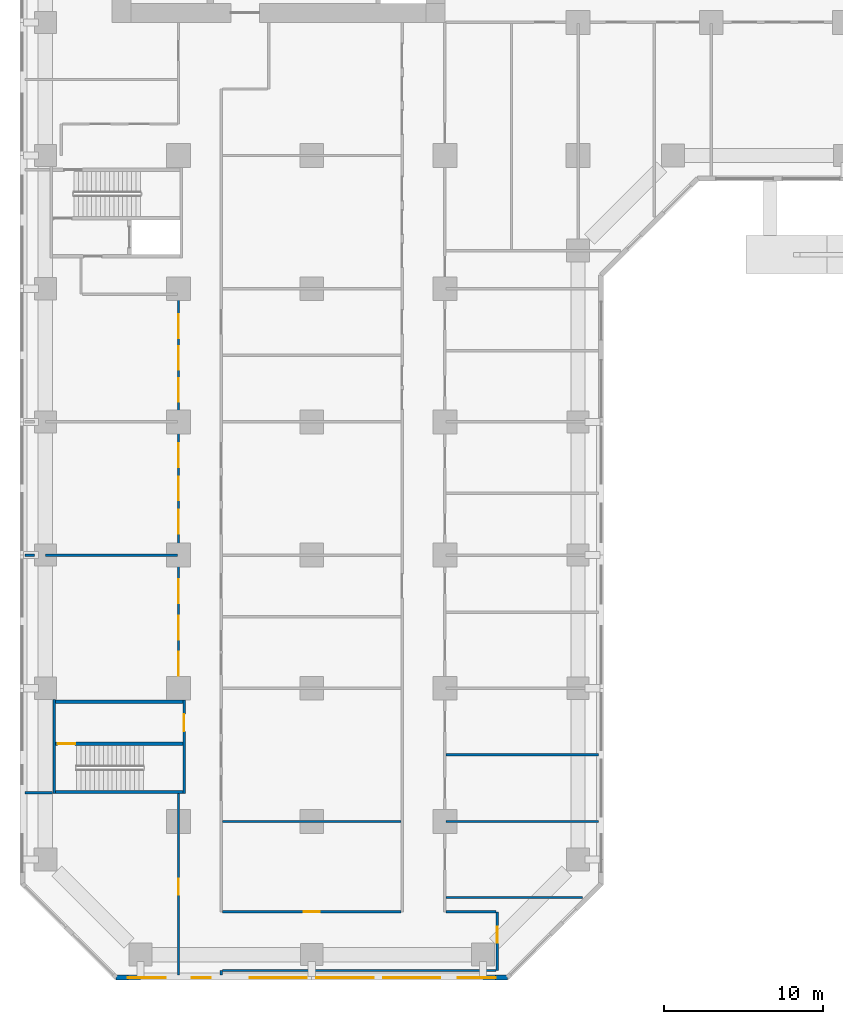
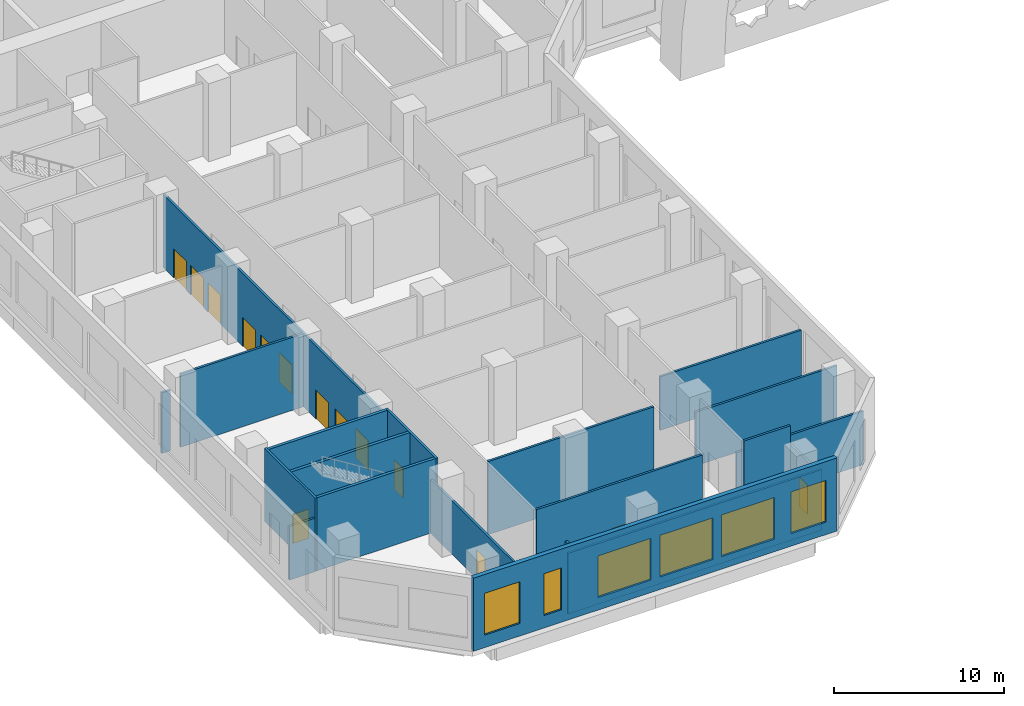
# One storey, part 3 of 19: 20 walls, 14 doors, 6 windows, 20 openings.
"""IFC4 building model written with IfcOpenShell, lengths in metres."""

from ifc_helpers import new_model, si_unit, direction, frame, frame_2d, origin, place, context, subcontext, project, spatial, rectangle, extrude, material, layer, layer_set, type_object, element, fill, save


model = new_model("IFC4")

# Units and contexts
model_context = context("Model", 3, precision=1e-05, world=origin(), true_north=direction((0.0, 1.0)))
body_context = subcontext(model_context, "Body", "Model", "MODEL_VIEW")
ifc_project = project(units=[si_unit("LENGTHUNIT", "METRE"), si_unit("AREAUNIT", "SQUARE_METRE"), si_unit("VOLUMEUNIT", "CUBIC_METRE"), si_unit("PLANEANGLEUNIT", "RADIAN"), si_unit("MASSUNIT", "GRAM", prefix="KILO")], contexts=[model_context])

# Site, building, storey
site_placement = place(None, origin())
site = spatial("IfcSite", under=ifc_project, at=site_placement, CompositionType="ELEMENT")
building_placement = place(site_placement, origin())
building = spatial("IfcBuilding", under=site, at=building_placement, Name="Kawkab Arch Medical Tower", CompositionType="ELEMENT")
storey_placement = place(building_placement, frame((0.0, 0.0, 12.60009765625)))
storey = spatial("IfcBuildingStorey", under=building, at=storey_placement, Name="L03", CompositionType="ELEMENT", Elevation=12.60009765625)

# Wall
ifc_material_1 = material(Name="Gypsum board partition on steel studs, mineral wool", Category="steel")
ifc_layer_1 = layer(ifc_material_1, 0.14990234375)
ifc_layer_set_1 = layer_set([ifc_layer_1], Name="Gypsum board partition on steel studs, mineral wool")
wall_type_1 = type_object("IfcWallType", Name="Partition 150", PredefinedType="PARTITIONING", material=ifc_layer_set_1)
wall_1_placement = place(storey_placement, frame((11.175048828125, -85.0, 0.0), z_axis=(0.0, 0.0, 1.0), x_axis=(1.0, 0.0, 0.0)))
element("IfcWall", 1, at=wall_1_placement, inside=storey, type_object=wall_type_1, Name="Partition 150 w001", PredefinedType="PARTITIONING", context=body_context, shape_type="SweptSolid", body=[
    extrude(rectangle(XDim=17.248046875, YDim=0.14990234375, at=frame_2d((8.6240234375, 0.0))), origin(), (0.0, 0.0, 1.0), 4.349853515625),
])

# Wall, opening, door
wall_2_placement = place(storey_placement, frame((11.175048828125, -81.300048828125, 0.0), z_axis=(0.0, 0.0, 1.0), x_axis=(1.0, 0.0, 0.0)))
wall_2 = element("IfcWall", 2, at=wall_2_placement, inside=storey, type_object=wall_type_1, Name="Partition 150 w002", PredefinedType="PARTITIONING", context=body_context, shape_type="SweptSolid", body=[
    extrude(rectangle(XDim=11.25, YDim=0.14990234375, at=frame_2d((5.625, 0.0))), origin(), (0.0, 0.0, 1.0), 5.25),
])
opening_1_placement = place(wall_2_placement, frame((5.125, 0.0, 0.0)))
opening_1 = element("IfcOpeningElement", 3, at=opening_1_placement, cuts=wall_2, Name="Opening P03-054", PredefinedType="OPENING", context=body_context, shape_type="SweptSolid", body=[
    extrude(rectangle(XDim=1.0, YDim=2.10009765625, at=frame_2d((0.5, 1.050048828125))), frame((0.0, 0.0849609375, 0.0), z_axis=(0.0, -1.0, 0.0), x_axis=(1.0, 0.0, 0.0)), (0.0, 0.0, 1.0), 0.169921875),
])
ifc_material_2 = material(Name="Hollow metal door leaf")
door_type_1 = type_object("IfcDoorType", Name="Single door 1000x2100 FD30S", OperationType="NOTDEFINED", PredefinedType="DOOR", material=ifc_material_2)
door_1_placement = place(opening_1_placement, origin())
door_1 = element("IfcDoor", 4, at=door_1_placement, inside=storey, type_object=door_type_1, Name="Door P03-054", OperationType="SINGLE_SWING_LEFT", OverallHeight=2.10009765625, OverallWidth=1.0, PredefinedType="DOOR", context=body_context, shape_type="SweptSolid", body=[
    extrude(rectangle(XDim=1.0, YDim=2.10009765625, at=frame_2d((0.5, 1.050048828125))), frame((0.0, 0.02490234375, 0.0), z_axis=(0.0, -1.0, 0.0), x_axis=(1.0, 0.0, 0.0)), (0.0, 0.0, 1.0), 0.050048828125),
])
fill(opening_1, door_1)

# Walls
wall_3_placement = place(storey_placement, frame((25.27490234375, -81.300048828125, 0.0), z_axis=(0.0, 0.0, 1.0), x_axis=(1.0, 0.0, 0.0)))
element("IfcWall", 5, at=wall_3_placement, inside=storey, type_object=wall_type_1, Name="Partition 150 w003", PredefinedType="PARTITIONING", context=body_context, shape_type="SweptSolid", body=[
    extrude(rectangle(XDim=3.148193359375, YDim=0.14990234375, at=frame_2d((1.57421875, 0.0))), origin(), (0.0, 0.0, 1.0), 5.25),
])
wall_4_placement = place(storey_placement, frame((25.27490234375, -80.39990234375, 0.0), z_axis=(0.0, 0.0, 1.0), x_axis=(1.0, 0.0, 0.0)))
element("IfcWall", 6, at=wall_4_placement, inside=storey, type_object=wall_type_1, Name="Partition 150 w004", PredefinedType="PARTITIONING", context=body_context, shape_type="SweptSolid", body=[
    extrude(rectangle(XDim=8.612060546875, YDim=0.14990234375, at=frame_2d((4.30615234375, 0.0))), origin(), (0.0, 0.0, 1.0), 3.849853515625),
])
wall_5_placement = place(storey_placement, frame((11.175048828125, -75.60009765625, 0.0), z_axis=(0.0, 0.0, 1.0), x_axis=(1.0, 0.0, 0.0)))
element("IfcWall", 7, at=wall_5_placement, inside=storey, type_object=wall_type_1, Name="Partition 150 w005", PredefinedType="PARTITIONING", context=body_context, shape_type="SweptSolid", body=[
    extrude(rectangle(XDim=11.25, YDim=0.14990234375, at=frame_2d((5.625, 0.0))), origin(), (0.0, 0.0, 1.0), 5.25),
])
wall_6_placement = place(storey_placement, frame((25.27490234375, -75.60009765625, 0.0), z_axis=(0.0, 0.0, 1.0), x_axis=(1.0, 0.0, 0.0)))
element("IfcWall", 8, at=wall_6_placement, inside=storey, type_object=wall_type_1, Name="Partition 150 w006", PredefinedType="PARTITIONING", context=body_context, shape_type="SweptSolid", body=[
    extrude(rectangle(XDim=9.60498046875, YDim=0.14990234375, at=frame_2d((4.802490234375, 0.0))), origin(), (0.0, 0.0, 1.0), 3.849853515625),
])
wall_7_placement = place(storey_placement, frame((-1.280029296875, -73.800048828125, 0.0), z_axis=(0.0, 0.0, 1.0), x_axis=(1.0, 0.0, 0.0)))
element("IfcWall", 9, at=wall_7_placement, inside=storey, type_object=wall_type_1, Name="Partition 150 w007", PredefinedType="PARTITIONING", context=body_context, shape_type="SweptSolid", body=[
    extrude(rectangle(XDim=1.72509765625, YDim=0.14990234375, at=frame_2d((0.862548828125, 0.0))), origin(), (0.0, 0.0, 1.0), 3.849853515625),
])
wall_8_placement = place(storey_placement, frame((25.27490234375, -71.39990234375, 0.0), z_axis=(0.0, 0.0, 1.0), x_axis=(1.0, 0.0, 0.0)))
element("IfcWall", 10, at=wall_8_placement, inside=storey, type_object=wall_type_1, Name="Partition 150 w008", PredefinedType="PARTITIONING", context=body_context, shape_type="SweptSolid", body=[
    extrude(rectangle(XDim=9.60498046875, YDim=0.14990234375, at=frame_2d((4.802490234375, 0.0))), origin(), (0.0, 0.0, 1.0), 3.849853515625),
])
wall_9_placement = place(storey_placement, frame((-1.280029296875, -58.800048828125, 0.0), z_axis=(0.0, 0.0, 1.0), x_axis=(1.0, 0.0, 0.0)))
element("IfcWall", 11, at=wall_9_placement, inside=storey, type_object=wall_type_1, Name="Partition 150 w013", PredefinedType="PARTITIONING", context=body_context, shape_type="SweptSolid", body=[
    extrude(rectangle(XDim=0.580078125, YDim=0.14990234375, at=frame_2d((0.2900390625, 0.0))), origin(), (0.0, 0.0, 1.0), 4.349853515625),
])
wall_10_placement = place(storey_placement, frame((0.001953125, -58.800048828125, 0.0), z_axis=(0.0, 0.0, 1.0), x_axis=(1.0, 0.0, 0.0)))
element("IfcWall", 12, at=wall_10_placement, inside=storey, type_object=wall_type_1, Name="Partition 150 w014", PredefinedType="PARTITIONING", context=body_context, shape_type="SweptSolid", body=[
    extrude(rectangle(XDim=8.322998046875, YDim=0.14990234375, at=frame_2d((4.16162109375, 0.0))), origin(), (0.0, 0.0, 1.0), 5.25),
])

# Wall, opening, door
wall_11_placement = place(storey_placement, frame((8.39990234375, -85.280029296875, 0.0), z_axis=(0.0, 0.0, 1.0), x_axis=(0.0, 1.0, 0.0)))
wall_11 = element("IfcWall", 13, at=wall_11_placement, inside=storey, type_object=wall_type_1, Name="Partition 150 w049", PredefinedType="PARTITIONING", context=body_context, shape_type="SweptSolid", body=[
    extrude(rectangle(XDim=11.429931640625, YDim=0.14990234375, at=frame_2d((5.71484375, 0.0))), origin(), (0.0, 0.0, 1.0), 3.849853515625),
])
opening_2_placement = place(wall_11_placement, frame((5.054931640625, 0.0, 0.0)))
opening_2 = element("IfcOpeningElement", 14, at=opening_2_placement, cuts=wall_11, Name="Opening P03-053", PredefinedType="OPENING", context=body_context, shape_type="SweptSolid", body=[
    extrude(rectangle(XDim=1.0, YDim=2.10009765625, at=frame_2d((0.5, 1.050048828125))), frame((0.0, 0.0849609375, 0.0), z_axis=(0.0, -1.0, 0.0), x_axis=(1.0, 0.0, 0.0)), (0.0, 0.0, 1.0), 0.169921875),
])
door_2_placement = place(opening_2_placement, origin())
door_2 = element("IfcDoor", 15, at=door_2_placement, inside=storey, type_object=door_type_1, Name="Door P03-053", OperationType="SINGLE_SWING_RIGHT", OverallHeight=2.10009765625, OverallWidth=1.0, PredefinedType="DOOR", context=body_context, shape_type="SweptSolid", body=[
    extrude(rectangle(XDim=1.0, YDim=2.10009765625, at=frame_2d((0.5, 1.050048828125))), frame((0.0, 0.02490234375, 0.0), z_axis=(0.0, -1.0, 0.0), x_axis=(1.0, 0.0, 0.0)), (0.0, 0.0, 1.0), 0.050048828125),
])
fill(opening_2, door_2)

# Wall, openings, doors
wall_12_placement = place(storey_placement, frame((8.39990234375, -67.947021484375, 0.0), z_axis=(0.0, 0.0, 1.0), x_axis=(0.0, 1.0, 0.0)))
wall_12 = element("IfcWall", 16, at=wall_12_placement, inside=storey, type_object=wall_type_1, Name="Partition 150 w050", PredefinedType="PARTITIONING", context=body_context, shape_type="SweptSolid", body=[
    extrude(rectangle(XDim=25.596923828125, YDim=0.14990234375, at=frame_2d((12.79833984375, 0.0))), origin(), (0.0, 0.0, 1.0), 5.25),
])
opening_3_placement = place(wall_12_placement, frame((18.80908203125, 0.0, 0.0)))
opening_3 = element("IfcOpeningElement", 17, at=opening_3_placement, cuts=wall_12, Name="Opening P03-023", PredefinedType="OPENING", context=body_context, shape_type="SweptSolid", body=[
    extrude(rectangle(XDim=1.5, YDim=2.10009765625, at=frame_2d((0.75, 1.050048828125))), frame((0.0, 0.0849609375, 0.0), z_axis=(0.0, -1.0, 0.0), x_axis=(1.0, 0.0, 0.0)), (0.0, 0.0, 1.0), 0.169921875),
])
opening_4_placement = place(wall_12_placement, frame((20.822021484375, 0.0, 0.0)))
opening_4 = element("IfcOpeningElement", 18, at=opening_4_placement, cuts=wall_12, Name="Opening P03-024", PredefinedType="OPENING", context=body_context, shape_type="SweptSolid", body=[
    extrude(rectangle(XDim=1.5, YDim=2.10009765625, at=frame_2d((0.75, 1.050048828125))), frame((0.0, 0.0849609375, 0.0), z_axis=(0.0, -1.0, 0.0), x_axis=(1.0, 0.0, 0.0)), (0.0, 0.0, 1.0), 0.169921875),
])
opening_5_placement = place(wall_12_placement, frame((22.8349609375, 0.0, 0.0)))
opening_5 = element("IfcOpeningElement", 19, at=opening_5_placement, cuts=wall_12, Name="Opening P03-025", PredefinedType="OPENING", context=body_context, shape_type="SweptSolid", body=[
    extrude(rectangle(XDim=1.5, YDim=2.10009765625, at=frame_2d((0.75, 1.050048828125))), frame((0.0, 0.0849609375, 0.0), z_axis=(0.0, -1.0, 0.0), x_axis=(1.0, 0.0, 0.0)), (0.0, 0.0, 1.0), 0.169921875),
])
opening_6_placement = place(wall_12_placement, frame((10.4970703125, 0.0, 0.0)))
opening_6 = element("IfcOpeningElement", 20, at=opening_6_placement, cuts=wall_12, Name="Opening P03-026", PredefinedType="OPENING", context=body_context, shape_type="SweptSolid", body=[
    extrude(rectangle(XDim=1.5, YDim=2.10009765625, at=frame_2d((0.75, 1.050048828125))), frame((0.0, 0.0849609375, 0.0), z_axis=(0.0, -1.0, 0.0), x_axis=(1.0, 0.0, 0.0)), (0.0, 0.0, 1.0), 0.169921875),
])
opening_7_placement = place(wall_12_placement, frame((12.596923828125, 0.0, 0.0)))
opening_7 = element("IfcOpeningElement", 21, at=opening_7_placement, cuts=wall_12, Name="Opening P03-027", PredefinedType="OPENING", context=body_context, shape_type="SweptSolid", body=[
    extrude(rectangle(XDim=1.5, YDim=2.10009765625, at=frame_2d((0.75, 1.050048828125))), frame((0.0, 0.0849609375, 0.0), z_axis=(0.0, -1.0, 0.0), x_axis=(1.0, 0.0, 0.0)), (0.0, 0.0, 1.0), 0.169921875),
])
opening_8_placement = place(wall_12_placement, frame((14.697021484375, 0.0, 0.0)))
opening_8 = element("IfcOpeningElement", 22, at=opening_8_placement, cuts=wall_12, Name="Opening P03-028", PredefinedType="OPENING", context=body_context, shape_type="SweptSolid", body=[
    extrude(rectangle(XDim=1.5, YDim=2.10009765625, at=frame_2d((0.75, 1.050048828125))), frame((0.0, 0.0849609375, 0.0), z_axis=(0.0, -1.0, 0.0), x_axis=(1.0, 0.0, 0.0)), (0.0, 0.0, 1.0), 0.169921875),
])
opening_9_placement = place(wall_12_placement, frame((1.537109375, 0.0, 0.0)))
opening_9 = element("IfcOpeningElement", 23, at=opening_9_placement, cuts=wall_12, Name="Opening P03-029", PredefinedType="OPENING", context=body_context, shape_type="SweptSolid", body=[
    extrude(rectangle(XDim=1.5, YDim=2.10009765625, at=frame_2d((0.75, 1.050048828125))), frame((0.0, 0.0849609375, 0.0), z_axis=(0.0, -1.0, 0.0), x_axis=(1.0, 0.0, 0.0)), (0.0, 0.0, 1.0), 0.169921875),
])
opening_10_placement = place(wall_12_placement, frame((3.822998046875, 0.0, 0.0)))
opening_10 = element("IfcOpeningElement", 24, at=opening_10_placement, cuts=wall_12, Name="Opening P03-030", PredefinedType="OPENING", context=body_context, shape_type="SweptSolid", body=[
    extrude(rectangle(XDim=1.5, YDim=2.10009765625, at=frame_2d((0.75, 1.050048828125))), frame((0.0, 0.0849609375, 0.0), z_axis=(0.0, -1.0, 0.0), x_axis=(1.0, 0.0, 0.0)), (0.0, 0.0, 1.0), 0.169921875),
])
opening_11_placement = place(wall_12_placement, frame((6.110107421875, 0.0, 0.0)))
opening_11 = element("IfcOpeningElement", 25, at=opening_11_placement, cuts=wall_12, Name="Opening P03-031", PredefinedType="OPENING", context=body_context, shape_type="SweptSolid", body=[
    extrude(rectangle(XDim=1.5, YDim=2.10009765625, at=frame_2d((0.75, 1.050048828125))), frame((0.0, 0.0849609375, 0.0), z_axis=(0.0, -1.0, 0.0), x_axis=(1.0, 0.0, 0.0)), (0.0, 0.0, 1.0), 0.169921875),
])
ifc_material_3 = material(Name="Hollow metal door leaf")
door_type_2 = type_object("IfcDoorType", Name="Double door 1500x2100 FD30S", OperationType="NOTDEFINED", PredefinedType="DOOR", material=ifc_material_3)
door_3_placement = place(opening_3_placement, origin())
door_3 = element("IfcDoor", 26, at=door_3_placement, inside=storey, type_object=door_type_2, Name="Door P03-023", OperationType="DOUBLE_DOOR_SINGLE_SWING", OverallHeight=2.10009765625, OverallWidth=1.5, PredefinedType="DOOR", context=body_context, shape_type="SweptSolid", body=[
    extrude(rectangle(XDim=1.5, YDim=2.10009765625, at=frame_2d((0.75, 1.050048828125))), frame((0.0, 0.02490234375, 0.0), z_axis=(0.0, -1.0, 0.0), x_axis=(1.0, 0.0, 0.0)), (0.0, 0.0, 1.0), 0.050048828125),
])
fill(opening_3, door_3)
door_4_placement = place(opening_4_placement, origin())
door_4 = element("IfcDoor", 27, at=door_4_placement, inside=storey, type_object=door_type_2, Name="Door P03-024", OperationType="DOUBLE_DOOR_SINGLE_SWING", OverallHeight=2.10009765625, OverallWidth=1.5, PredefinedType="DOOR", context=body_context, shape_type="SweptSolid", body=[
    extrude(rectangle(XDim=1.5, YDim=2.10009765625, at=frame_2d((0.75, 1.050048828125))), frame((0.0, 0.02490234375, 0.0), z_axis=(0.0, -1.0, 0.0), x_axis=(1.0, 0.0, 0.0)), (0.0, 0.0, 1.0), 0.050048828125),
])
fill(opening_4, door_4)
door_5_placement = place(opening_5_placement, origin())
door_5 = element("IfcDoor", 28, at=door_5_placement, inside=storey, type_object=door_type_2, Name="Door P03-025", OperationType="DOUBLE_DOOR_SINGLE_SWING", OverallHeight=2.10009765625, OverallWidth=1.5, PredefinedType="DOOR", context=body_context, shape_type="SweptSolid", body=[
    extrude(rectangle(XDim=1.5, YDim=2.10009765625, at=frame_2d((0.75, 1.050048828125))), frame((0.0, 0.02490234375, 0.0), z_axis=(0.0, -1.0, 0.0), x_axis=(1.0, 0.0, 0.0)), (0.0, 0.0, 1.0), 0.050048828125),
])
fill(opening_5, door_5)
door_6_placement = place(opening_6_placement, origin())
door_6 = element("IfcDoor", 29, at=door_6_placement, inside=storey, type_object=door_type_2, Name="Door P03-026", OperationType="DOUBLE_DOOR_SINGLE_SWING", OverallHeight=2.10009765625, OverallWidth=1.5, PredefinedType="DOOR", context=body_context, shape_type="SweptSolid", body=[
    extrude(rectangle(XDim=1.5, YDim=2.10009765625, at=frame_2d((0.75, 1.050048828125))), frame((0.0, 0.02490234375, 0.0), z_axis=(0.0, -1.0, 0.0), x_axis=(1.0, 0.0, 0.0)), (0.0, 0.0, 1.0), 0.050048828125),
])
fill(opening_6, door_6)
door_7_placement = place(opening_7_placement, origin())
door_7 = element("IfcDoor", 30, at=door_7_placement, inside=storey, type_object=door_type_2, Name="Door P03-027", OperationType="DOUBLE_DOOR_SINGLE_SWING", OverallHeight=2.10009765625, OverallWidth=1.5, PredefinedType="DOOR", context=body_context, shape_type="SweptSolid", body=[
    extrude(rectangle(XDim=1.5, YDim=2.10009765625, at=frame_2d((0.75, 1.050048828125))), frame((0.0, 0.02490234375, 0.0), z_axis=(0.0, -1.0, 0.0), x_axis=(1.0, 0.0, 0.0)), (0.0, 0.0, 1.0), 0.050048828125),
])
fill(opening_7, door_7)
door_8_placement = place(opening_8_placement, origin())
door_8 = element("IfcDoor", 31, at=door_8_placement, inside=storey, type_object=door_type_2, Name="Door P03-028", OperationType="DOUBLE_DOOR_SINGLE_SWING", OverallHeight=2.10009765625, OverallWidth=1.5, PredefinedType="DOOR", context=body_context, shape_type="SweptSolid", body=[
    extrude(rectangle(XDim=1.5, YDim=2.10009765625, at=frame_2d((0.75, 1.050048828125))), frame((0.0, 0.02490234375, 0.0), z_axis=(0.0, -1.0, 0.0), x_axis=(1.0, 0.0, 0.0)), (0.0, 0.0, 1.0), 0.050048828125),
])
fill(opening_8, door_8)
door_9_placement = place(opening_9_placement, origin())
door_9 = element("IfcDoor", 32, at=door_9_placement, inside=storey, type_object=door_type_2, Name="Door P03-029", OperationType="DOUBLE_DOOR_SINGLE_SWING", OverallHeight=2.10009765625, OverallWidth=1.5, PredefinedType="DOOR", context=body_context, shape_type="SweptSolid", body=[
    extrude(rectangle(XDim=1.5, YDim=2.10009765625, at=frame_2d((0.75, 1.050048828125))), frame((0.0, 0.02490234375, 0.0), z_axis=(0.0, -1.0, 0.0), x_axis=(1.0, 0.0, 0.0)), (0.0, 0.0, 1.0), 0.050048828125),
])
fill(opening_9, door_9)
door_10_placement = place(opening_10_placement, origin())
door_10 = element("IfcDoor", 33, at=door_10_placement, inside=storey, type_object=door_type_2, Name="Door P03-030", OperationType="DOUBLE_DOOR_SINGLE_SWING", OverallHeight=2.10009765625, OverallWidth=1.5, PredefinedType="DOOR", context=body_context, shape_type="SweptSolid", body=[
    extrude(rectangle(XDim=1.5, YDim=2.10009765625, at=frame_2d((0.75, 1.050048828125))), frame((0.0, 0.02490234375, 0.0), z_axis=(0.0, -1.0, 0.0), x_axis=(1.0, 0.0, 0.0)), (0.0, 0.0, 1.0), 0.050048828125),
])
fill(opening_10, door_10)
door_11_placement = place(opening_11_placement, origin())
door_11 = element("IfcDoor", 34, at=door_11_placement, inside=storey, type_object=door_type_2, Name="Door P03-031", OperationType="DOUBLE_DOOR_SINGLE_SWING", OverallHeight=2.10009765625, OverallWidth=1.5, PredefinedType="DOOR", context=body_context, shape_type="SweptSolid", body=[
    extrude(rectangle(XDim=1.5, YDim=2.10009765625, at=frame_2d((0.75, 1.050048828125))), frame((0.0, 0.02490234375, 0.0), z_axis=(0.0, -1.0, 0.0), x_axis=(1.0, 0.0, 0.0)), (0.0, 0.0, 1.0), 0.050048828125),
])
fill(opening_11, door_11)

# Wall
wall_13_placement = place(storey_placement, frame((11.10009765625, -85.280029296875, 0.0), z_axis=(0.0, 0.0, 1.0), x_axis=(0.0, 1.0, 0.0)))
element("IfcWall", 35, at=wall_13_placement, inside=storey, type_object=wall_type_1, Name="Partition 150 w052", PredefinedType="PARTITIONING", context=body_context, shape_type="SweptSolid", body=[
    extrude(rectangle(XDim=0.280029296875, YDim=0.14990234375, at=frame_2d((0.14013671875, 0.0))), origin(), (0.0, 0.0, 1.0), 5.25),
])

# Wall, opening, door
wall_14_placement = place(storey_placement, frame((28.5, -84.998046875, 0.0), z_axis=(0.0, 0.0, 1.0), x_axis=(0.0, 1.0, 0.0)))
wall_14 = element("IfcWall", 36, at=wall_14_placement, inside=storey, type_object=wall_type_1, Name="Partition 150 w058", PredefinedType="PARTITIONING", context=body_context, shape_type="SweptSolid", body=[
    extrude(rectangle(XDim=3.697021484375, YDim=0.14990234375, at=frame_2d((1.8486328125, 0.0))), origin(), (0.0, 0.0, 1.0), 3.849853515625),
])
opening_12_placement = place(wall_14_placement, frame((1.7490234375, 0.0, 0.0)))
opening_12 = element("IfcOpeningElement", 37, at=opening_12_placement, cuts=wall_14, Name="Opening P03-055", PredefinedType="OPENING", context=body_context, shape_type="SweptSolid", body=[
    extrude(rectangle(XDim=1.0, YDim=2.10009765625, at=frame_2d((0.5, 1.050048828125))), frame((0.0, 0.0849609375, 0.0), z_axis=(0.0, -1.0, 0.0), x_axis=(1.0, 0.0, 0.0)), (0.0, 0.0, 1.0), 0.169921875),
])
door_12_placement = place(opening_12_placement, origin())
door_12 = element("IfcDoor", 38, at=door_12_placement, inside=storey, type_object=door_type_1, Name="Door P03-055", OperationType="SINGLE_SWING_LEFT", OverallHeight=2.10009765625, OverallWidth=1.0, PredefinedType="DOOR", context=body_context, shape_type="SweptSolid", body=[
    extrude(rectangle(XDim=1.0, YDim=2.10009765625, at=frame_2d((0.5, 1.050048828125))), frame((0.0, 0.02490234375, 0.0), z_axis=(0.0, -1.0, 0.0), x_axis=(1.0, 0.0, 0.0)), (0.0, 0.0, 1.0), 0.050048828125),
])
fill(opening_12, door_12)

# Wall, openings, windows
ifc_material_4 = material(Name="Bronze clad insulated wall panel")
ifc_layer_2 = layer(ifc_material_4, 0.300048828125)
ifc_layer_set_2 = layer_set([ifc_layer_2], Name="Bronze clad insulated wall panel")
wall_type_2 = type_object("IfcWallType", Name="Podium external wall 300", PredefinedType="SOLIDWALL", material=ifc_layer_set_2)
wall_15_placement = place(storey_placement, frame((4.462158203125, -85.449951171875, 0.0), z_axis=(0.0, 0.0, 1.0), x_axis=(1.0, 0.0, 0.0)))
wall_15 = element("IfcWall", 39, at=wall_15_placement, inside=storey, type_object=wall_type_2, Name="Podium external wall L03 R09", PredefinedType="SOLIDWALL", context=body_context, shape_type="SweptSolid", body=[
    extrude(rectangle(XDim=24.67578125, YDim=0.300048828125, at=frame_2d((12.337890625, 0.0))), origin(), (0.0, 0.0, 1.0), 5.25),
])
opening_13_placement = place(wall_15_placement, frame((0.73779296875, 0.0, 0.89990234375)))
opening_13 = element("IfcOpeningElement", 40, at=opening_13_placement, cuts=wall_15, Name="Opening PBW240-30-S9", PredefinedType="OPENING", context=body_context, shape_type="SweptSolid", body=[
    extrude(rectangle(XDim=2.39990234375, YDim=3.0, at=frame_2d((1.199951171875, 1.5))), frame((0.0, 0.159912109375, 0.0), z_axis=(0.0, -1.0, 0.0), x_axis=(1.0, 0.0, 0.0)), (0.0, 0.0, 1.0), 0.320068359375),
])
opening_14_placement = place(wall_15_placement, frame((4.762939453125, 0.0, 0.89990234375)))
opening_14 = element("IfcOpeningElement", 41, at=opening_14_placement, cuts=wall_15, Name="Opening PBW120-30-S9", PredefinedType="OPENING", context=body_context, shape_type="SweptSolid", body=[
    extrude(rectangle(XDim=1.199951171875, YDim=3.0, at=frame_2d((0.60009765625, 1.5))), frame((0.0, 0.159912109375, 0.0), z_axis=(0.0, -1.0, 0.0), x_axis=(1.0, 0.0, 0.0)), (0.0, 0.0, 1.0), 0.320068359375),
])
opening_15_placement = place(wall_15_placement, frame((8.43798828125, 0.0, 0.89990234375)))
opening_15 = element("IfcOpeningElement", 42, at=opening_15_placement, cuts=wall_15, Name="Opening PBW360-30-S9", PredefinedType="OPENING", context=body_context, shape_type="SweptSolid", body=[
    extrude(rectangle(XDim=3.60009765625, YDim=3.0, at=frame_2d((1.800048828125, 1.5))), frame((0.0, 0.159912109375, 0.0), z_axis=(0.0, -1.0, 0.0), x_axis=(1.0, 0.0, 0.0)), (0.0, 0.0, 1.0), 0.320068359375),
])
opening_16_placement = place(wall_15_placement, frame((12.637939453125, 0.0, 0.89990234375)))
opening_16 = element("IfcOpeningElement", 43, at=opening_16_placement, cuts=wall_15, Name="Opening PBW360-30-S9", PredefinedType="OPENING", context=body_context, shape_type="SweptSolid", body=[
    extrude(rectangle(XDim=3.60009765625, YDim=3.0, at=frame_2d((1.800048828125, 1.5))), frame((0.0, 0.159912109375, 0.0), z_axis=(0.0, -1.0, 0.0), x_axis=(1.0, 0.0, 0.0)), (0.0, 0.0, 1.0), 0.320068359375),
])
opening_17_placement = place(wall_15_placement, frame((16.837890625, 0.0, 0.89990234375)))
opening_17 = element("IfcOpeningElement", 44, at=opening_17_placement, cuts=wall_15, Name="Opening PBW360-30-S9", PredefinedType="OPENING", context=body_context, shape_type="SweptSolid", body=[
    extrude(rectangle(XDim=3.60009765625, YDim=3.0, at=frame_2d((1.800048828125, 1.5))), frame((0.0, 0.159912109375, 0.0), z_axis=(0.0, -1.0, 0.0), x_axis=(1.0, 0.0, 0.0)), (0.0, 0.0, 1.0), 0.320068359375),
])
opening_18_placement = place(wall_15_placement, frame((21.537841796875, 0.0, 0.89990234375)))
opening_18 = element("IfcOpeningElement", 45, at=opening_18_placement, cuts=wall_15, Name="Opening PBW240-30-S9", PredefinedType="OPENING", context=body_context, shape_type="SweptSolid", body=[
    extrude(rectangle(XDim=2.39990234375, YDim=3.0, at=frame_2d((1.199951171875, 1.5))), frame((0.0, 0.159912109375, 0.0), z_axis=(0.0, -1.0, 0.0), x_axis=(1.0, 0.0, 0.0)), (0.0, 0.0, 1.0), 0.320068359375),
])
ifc_material_5 = material(Name="Bronze anodised aluminium louvred window", Category="aluminium")
window_type_1 = type_object("IfcWindowType", Name="Podium band window 1200 x 3000 sill 900", PartitioningType="DOUBLE_PANEL_VERTICAL", PredefinedType="WINDOW", material=ifc_material_5)
window_1_placement = place(opening_14_placement, origin())
window_1 = element("IfcWindow", 46, at=window_1_placement, inside=storey, type_object=window_type_1, Name="Band window L03 R09.2", OverallHeight=3.0, OverallWidth=1.199951171875, PartitioningType="SINGLE_PANEL", PredefinedType="WINDOW", context=body_context, shape_type="SweptSolid", body=[
    extrude(rectangle(XDim=1.199951171875, YDim=3.0, at=frame_2d((0.60009765625, 1.5))), frame((0.0, 0.030029296875, 0.0), z_axis=(0.0, -1.0, 0.0), x_axis=(1.0, 0.0, 0.0)), (0.0, 0.0, 1.0), 0.06005859375),
])
fill(opening_14, window_1)
ifc_material_6 = material(Name="Bronze anodised aluminium louvred window", Category="aluminium")
window_type_2 = type_object("IfcWindowType", Name="Podium band window 2400 x 3000 sill 900", PartitioningType="DOUBLE_PANEL_VERTICAL", PredefinedType="WINDOW", material=ifc_material_6)
window_2_placement = place(opening_13_placement, origin())
window_2 = element("IfcWindow", 47, at=window_2_placement, inside=storey, type_object=window_type_2, Name="Band window L03 R09.1", OverallHeight=3.0, OverallWidth=2.39990234375, PartitioningType="SINGLE_PANEL", PredefinedType="WINDOW", context=body_context, shape_type="SweptSolid", body=[
    extrude(rectangle(XDim=2.39990234375, YDim=3.0, at=frame_2d((1.199951171875, 1.5))), frame((0.0, 0.030029296875, 0.0), z_axis=(0.0, -1.0, 0.0), x_axis=(1.0, 0.0, 0.0)), (0.0, 0.0, 1.0), 0.06005859375),
])
fill(opening_13, window_2)
window_3_placement = place(opening_18_placement, origin())
window_3 = element("IfcWindow", 48, at=window_3_placement, inside=storey, type_object=window_type_2, Name="Band window L03 R09.6", OverallHeight=3.0, OverallWidth=2.39990234375, PartitioningType="SINGLE_PANEL", PredefinedType="WINDOW", context=body_context, shape_type="SweptSolid", body=[
    extrude(rectangle(XDim=2.39990234375, YDim=3.0, at=frame_2d((1.199951171875, 1.5))), frame((0.0, 0.030029296875, 0.0), z_axis=(0.0, -1.0, 0.0), x_axis=(1.0, 0.0, 0.0)), (0.0, 0.0, 1.0), 0.06005859375),
])
fill(opening_18, window_3)
ifc_material_7 = material(Name="Bronze anodised aluminium louvred window", Category="aluminium")
window_type_3 = type_object("IfcWindowType", Name="Podium band window 3600 x 3000 sill 900", PartitioningType="DOUBLE_PANEL_VERTICAL", PredefinedType="WINDOW", material=ifc_material_7)
window_4_placement = place(opening_15_placement, origin())
window_4 = element("IfcWindow", 49, at=window_4_placement, inside=storey, type_object=window_type_3, Name="Band window L03 R09.3", OverallHeight=3.0, OverallWidth=3.60009765625, PartitioningType="SINGLE_PANEL", PredefinedType="WINDOW", context=body_context, shape_type="SweptSolid", body=[
    extrude(rectangle(XDim=3.60009765625, YDim=3.0, at=frame_2d((1.800048828125, 1.5))), frame((0.0, 0.030029296875, 0.0), z_axis=(0.0, -1.0, 0.0), x_axis=(1.0, 0.0, 0.0)), (0.0, 0.0, 1.0), 0.06005859375),
])
fill(opening_15, window_4)
window_5_placement = place(opening_16_placement, origin())
window_5 = element("IfcWindow", 50, at=window_5_placement, inside=storey, type_object=window_type_3, Name="Band window L03 R09.4", OverallHeight=3.0, OverallWidth=3.60009765625, PartitioningType="SINGLE_PANEL", PredefinedType="WINDOW", context=body_context, shape_type="SweptSolid", body=[
    extrude(rectangle(XDim=3.60009765625, YDim=3.0, at=frame_2d((1.800048828125, 1.5))), frame((0.0, 0.030029296875, 0.0), z_axis=(0.0, -1.0, 0.0), x_axis=(1.0, 0.0, 0.0)), (0.0, 0.0, 1.0), 0.06005859375),
])
fill(opening_16, window_5)
window_6_placement = place(opening_17_placement, origin())
window_6 = element("IfcWindow", 51, at=window_6_placement, inside=storey, type_object=window_type_3, Name="Band window L03 R09.5", OverallHeight=3.0, OverallWidth=3.60009765625, PartitioningType="SINGLE_PANEL", PredefinedType="WINDOW", context=body_context, shape_type="SweptSolid", body=[
    extrude(rectangle(XDim=3.60009765625, YDim=3.0, at=frame_2d((1.800048828125, 1.5))), frame((0.0, 0.030029296875, 0.0), z_axis=(0.0, -1.0, 0.0), x_axis=(1.0, 0.0, 0.0)), (0.0, 0.0, 1.0), 0.06005859375),
])
fill(opening_17, window_6)

# Wall
ifc_material_8 = material(Name="Concrete C50/60", Category="concrete")
ifc_layer_3 = layer(ifc_material_8, 0.14990234375)
ifc_layer_set_3 = layer_set([ifc_layer_3], Name="Concrete C50/60")
wall_type_3 = type_object("IfcWallType", Name="Stair enclosure wall 150 C50/60", PredefinedType="SHEAR", material=ifc_layer_set_3)
wall_16_placement = place(storey_placement, frame((0.550048828125, -73.85009765625, 0.0), z_axis=(0.0, 0.0, 1.0), x_axis=(0.0, 1.0, 0.0)))
element("IfcWall", 52, at=wall_16_placement, inside=storey, type_object=wall_type_3, Name="L03 stair enclosure wall", PredefinedType="SHEAR", context=body_context, shape_type="SweptSolid", body=[
    extrude(rectangle(XDim=5.9501953125, YDim=0.14990234375, at=frame_2d((2.97509765625, 0.0))), origin(), (0.0, 0.0, 1.0), 5.25),
])

# Wall, opening, door
wall_17_placement = place(storey_placement, frame((8.75, -73.85009765625, 0.0), z_axis=(0.0, 0.0, 1.0), x_axis=(0.0, 1.0, 0.0)))
wall_17 = element("IfcWall", 53, at=wall_17_placement, inside=storey, type_object=wall_type_3, Name="L03 stair enclosure wall", PredefinedType="SHEAR", context=body_context, shape_type="SweptSolid", body=[
    extrude(rectangle(XDim=5.900146484375, YDim=0.14990234375, at=frame_2d((2.9501953125, 0.0))), origin(), (0.0, 0.0, 1.0), 5.25),
])
opening_19_placement = place(wall_17_placement, frame((3.925048828125, 0.0, 0.0)))
opening_19 = element("IfcOpeningElement", 54, at=opening_19_placement, cuts=wall_17, Name="Opening SD", PredefinedType="OPENING", context=body_context, shape_type="SweptSolid", body=[
    extrude(rectangle(XDim=1.10009765625, YDim=2.10009765625, at=frame_2d((0.550048828125, 1.050048828125))), frame((0.0, 0.0849609375, 0.0), z_axis=(0.0, -1.0, 0.0), x_axis=(1.0, 0.0, 0.0)), (0.0, 0.0, 1.0), 0.169921875),
])
ifc_material_9 = material(Name="Hollow metal fire door leaf")
door_type_3 = type_object("IfcDoorType", Name="Exit stair door 1100", OperationType="SINGLE_SWING_LEFT", PredefinedType="DOOR", material=ifc_material_9)
door_13_placement = place(opening_19_placement, origin())
door_13 = element("IfcDoor", 55, at=door_13_placement, inside=storey, type_object=door_type_3, Name="L03 Exit stair ST10 lobby door", OperationType="SINGLE_SWING_LEFT", OverallHeight=2.10009765625, OverallWidth=1.10009765625, PredefinedType="DOOR", context=body_context, shape_type="SweptSolid", body=[
    extrude(rectangle(XDim=1.10009765625, YDim=2.10009765625, at=frame_2d((0.550048828125, 1.050048828125))), frame((0.0, 0.02490234375, 0.0), z_axis=(0.0, -1.0, 0.0), x_axis=(1.0, 0.0, 0.0)), (0.0, 0.0, 1.0), 0.050048828125),
])
fill(opening_19, door_13)

# Wall
ifc_material_10 = material(Name="Concrete C50/60", Category="concrete")
ifc_layer_4 = layer(ifc_material_10, 0.199951171875)
ifc_layer_set_4 = layer_set([ifc_layer_4], Name="Concrete C50/60")
wall_type_4 = type_object("IfcWallType", Name="Stair enclosure wall 200 C50/60", PredefinedType="SHEAR", material=ifc_layer_set_4)
wall_18_placement = place(storey_placement, frame((0.625, -73.75, 0.0), z_axis=(0.0, 0.0, 1.0), x_axis=(1.0, 0.0, 0.0)))
element("IfcWall", 56, at=wall_18_placement, inside=storey, type_object=wall_type_4, Name="L03 stair enclosure wall", PredefinedType="SHEAR", context=body_context, shape_type="SweptSolid", body=[
    extrude(rectangle(XDim=8.050048828125, YDim=0.199951171875, at=frame_2d((4.02490234375, 0.0))), origin(), (0.0, 0.0, 1.0), 5.25),
])

# Wall, opening, door
wall_19_placement = place(storey_placement, frame((0.625, -70.699951171875, 0.0), z_axis=(0.0, 0.0, 1.0), x_axis=(1.0, 0.0, 0.0)))
wall_19 = element("IfcWall", 57, at=wall_19_placement, inside=storey, type_object=wall_type_4, Name="L03 stair enclosure wall", PredefinedType="SHEAR", context=body_context, shape_type="SweptSolid", body=[
    extrude(rectangle(XDim=8.050048828125, YDim=0.199951171875, at=frame_2d((4.02490234375, 0.0))), origin(), (0.0, 0.0, 1.0), 5.25),
])
opening_20_placement = place(wall_19_placement, frame((0.14990234375, 0.0, 0.0)))
opening_20 = element("IfcOpeningElement", 58, at=opening_20_placement, cuts=wall_19, Name="Opening SD", PredefinedType="OPENING", context=body_context, shape_type="SweptSolid", body=[
    extrude(rectangle(XDim=1.10009765625, YDim=2.10009765625, at=frame_2d((0.550048828125, 1.050048828125))), frame((0.0, 0.10986328125, 0.0), z_axis=(0.0, -1.0, 0.0), x_axis=(1.0, 0.0, 0.0)), (0.0, 0.0, 1.0), 0.219970703125),
])
door_14_placement = place(opening_20_placement, frame((1.10009765625, 0.0, 0.0), z_axis=(0.0, 0.0, 1.0), x_axis=(-1.0, 0.0, 0.0)))
door_14 = element("IfcDoor", 59, at=door_14_placement, inside=storey, type_object=door_type_3, Name="L03 Exit stair ST10 door", OperationType="SINGLE_SWING_LEFT", OverallHeight=2.10009765625, OverallWidth=1.10009765625, PredefinedType="DOOR", context=body_context, shape_type="SweptSolid", body=[
    extrude(rectangle(XDim=1.10009765625, YDim=2.10009765625, at=frame_2d((0.550048828125, 1.050048828125))), frame((0.0, 0.02490234375, 0.0), z_axis=(0.0, -1.0, 0.0), x_axis=(1.0, 0.0, 0.0)), (0.0, 0.0, 1.0), 0.050048828125),
])
fill(opening_20, door_14)

# Wall
wall_20_placement = place(storey_placement, frame((0.625, -68.050048828125, 0.0), z_axis=(0.0, 0.0, 1.0), x_axis=(1.0, 0.0, 0.0)))
element("IfcWall", 60, at=wall_20_placement, inside=storey, type_object=wall_type_4, Name="L03 stair enclosure wall", PredefinedType="SHEAR", context=body_context, shape_type="SweptSolid", body=[
    extrude(rectangle(XDim=8.050048828125, YDim=0.199951171875, at=frame_2d((4.02490234375, 0.0))), origin(), (0.0, 0.0, 1.0), 5.25),
])

save(model, "model.ifc")
